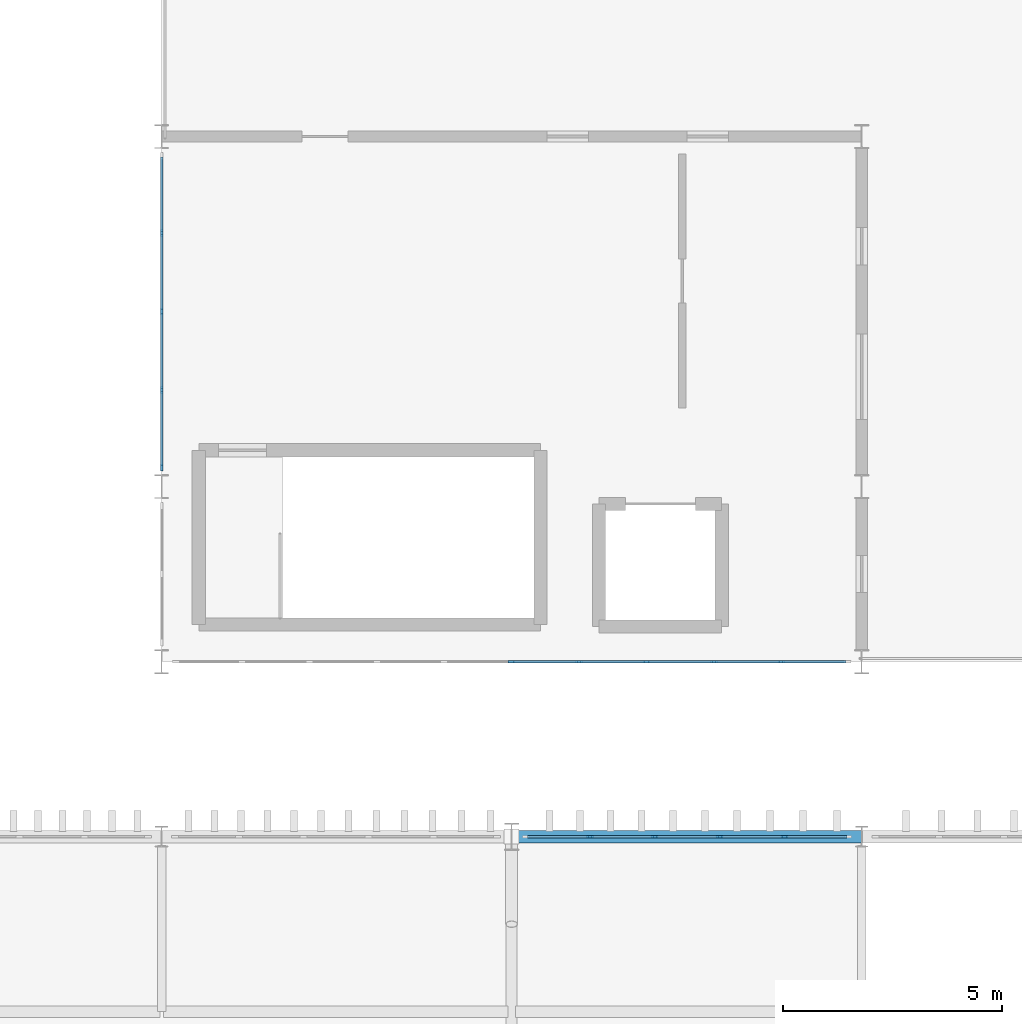
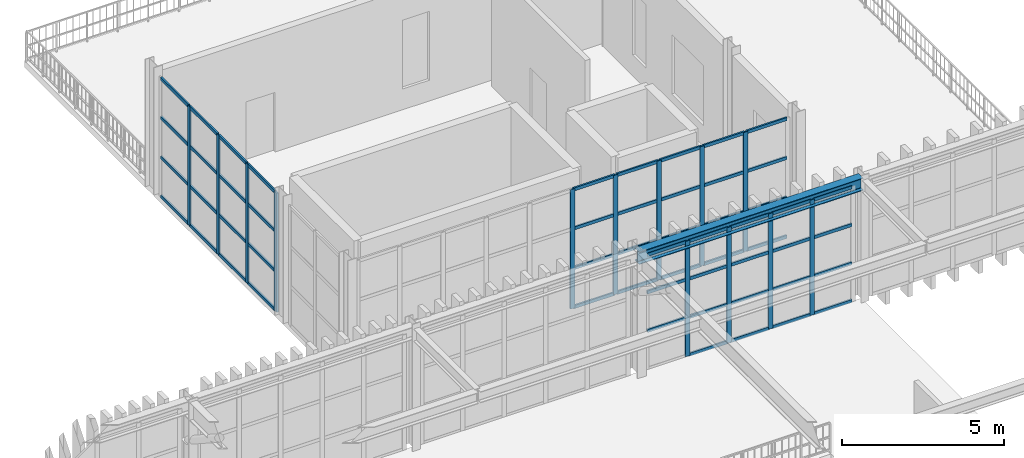
# One storey, part 26 of 61: 68 members, 1 beam, 3 elements without a shape of their own.
"""IFC4 building model written with IfcOpenShell, lengths in metres."""

from ifc_helpers import new_model, si_unit, direction, frame, origin, origin_2d, place, context, subcontext, project, spatial, rectangle, i_section, extrude, material, material_profile, profile_set, type_object, element, aggregate, save


model = new_model("IFC4")

# Units and contexts
model_context = context("Model", 3, precision=1e-05, world=origin(), true_north=direction((0.0, 1.0)))
body_context = subcontext(model_context, "Body", "Model", "MODEL_VIEW")
ifc_project = project(units=[si_unit("LENGTHUNIT", "METRE"), si_unit("AREAUNIT", "SQUARE_METRE"), si_unit("VOLUMEUNIT", "CUBIC_METRE"), si_unit("PLANEANGLEUNIT", "RADIAN"), si_unit("MASSUNIT", "GRAM", prefix="KILO")], contexts=[model_context])

# Site, building, storey
site_placement = place(None, origin())
site = spatial("IfcSite", under=ifc_project, at=site_placement, CompositionType="ELEMENT")
building_placement = place(site_placement, origin())
building = spatial("IfcBuilding", under=site, at=building_placement, Name="Serraluz Foothill Cableway Terminal", CompositionType="ELEMENT")
storey_placement = place(building_placement, frame((0.0, 0.0, 15.0)))
storey = spatial("IfcBuildingStorey", under=building, at=storey_placement, Name="L03", CompositionType="ELEMENT", Elevation=15.0)

# Curtain wall, members
ifc_material_1 = material(Name="Architectural bronze alloy C28000", Category="aluminium")
curtain_wall_type_1 = type_object("IfcCurtainWallType", Name="TYP-CW-360X380", PredefinedType="NOTDEFINED", material=ifc_material_1)
curtain_wall_1_placement = place(storey_placement, origin())
curtain_wall_1 = element("IfcCurtainWall", 1, at=curtain_wall_1_placement, inside=storey, type_object=curtain_wall_type_1, Name="Ribbed Glazed Curtain Wall CW-V1N-L03-88", PredefinedType="NOTDEFINED")
ifc_material_profile_1 = material_profile(ifc_material_1, rectangle(XDim=0.06005859375, YDim=0.159912109375, at=origin_2d()), Name="ALU MULLION 60x160")
ifc_profile_set_1 = profile_set([ifc_material_profile_1], Name="Architectural bronze alloy C28000")
member_type_1 = type_object("IfcMemberType", Name="TYP-CW-MUL-60X160", PredefinedType="MULLION", material=ifc_profile_set_1)
member_1_placement = place(storey_placement, frame((89.78564453125, 72.0, 0.0), z_axis=(0.0, 0.0, 1.0), x_axis=(0.0, 1.0, 0.0)))
member_1 = element("IfcMember", 2, at=member_1_placement, type_object=member_type_1, Name="CW-18 mullion 2", PredefinedType="MULLION", context=body_context, shape_type="SweptSolid", body=[
    extrude(rectangle(XDim=0.06005859375, YDim=0.159912109375, at=origin_2d()), origin(), (0.0, 0.0, 1.0), 4.35009765625),
])
member_2_placement = place(storey_placement, frame((91.268798828125, 72.0, 0.0), z_axis=(0.0, 0.0, 1.0), x_axis=(0.0, 1.0, 0.0)))
member_2 = element("IfcMember", 3, at=member_2_placement, type_object=member_type_1, Name="CW-18 mullion 3", PredefinedType="MULLION", context=body_context, shape_type="SweptSolid", body=[
    extrude(rectangle(XDim=0.06005859375, YDim=0.159912109375, at=origin_2d()), origin(), (0.0, 0.0, 1.0), 4.35009765625),
])
member_3_placement = place(storey_placement, frame((92.752197265625, 72.0, 0.0), z_axis=(0.0, 0.0, 1.0), x_axis=(0.0, 1.0, 0.0)))
member_3 = element("IfcMember", 4, at=member_3_placement, type_object=member_type_1, Name="CW-18 mullion 4", PredefinedType="MULLION", context=body_context, shape_type="SweptSolid", body=[
    extrude(rectangle(XDim=0.06005859375, YDim=0.159912109375, at=origin_2d()), origin(), (0.0, 0.0, 1.0), 4.35009765625),
])
member_4_placement = place(storey_placement, frame((94.2353515625, 72.0, 0.0), z_axis=(0.0, 0.0, 1.0), x_axis=(0.0, 1.0, 0.0)))
member_4 = element("IfcMember", 5, at=member_4_placement, type_object=member_type_1, Name="CW-18 mullion 5", PredefinedType="MULLION", context=body_context, shape_type="SweptSolid", body=[
    extrude(rectangle(XDim=0.06005859375, YDim=0.159912109375, at=origin_2d()), origin(), (0.0, 0.0, 1.0), 4.35009765625),
])

curtain_wall_type_2 = type_object("IfcCurtainWallType", Name="TYP-CW-640X440", PredefinedType="NOTDEFINED", material=ifc_material_1)
curtain_wall_2_placement = place(storey_placement, origin())
curtain_wall_2 = element("IfcCurtainWall", 6, at=curtain_wall_2_placement, inside=storey, type_object=curtain_wall_type_2, Name="Ribbed Glazed Curtain Wall CW-V4S-L03-80", PredefinedType="NOTDEFINED")
member_5_placement = place(storey_placement, frame((94.1630859375, 76.0, 0.0), z_axis=(0.0, 0.0, 1.0), x_axis=(0.0, -1.0, 0.0)))
member_5 = element("IfcMember", 7, at=member_5_placement, type_object=member_type_1, Name="CW-12 mullion 2", PredefinedType="MULLION", context=body_context, shape_type="SweptSolid", body=[
    extrude(rectangle(XDim=0.06005859375, YDim=0.159912109375, at=origin_2d()), origin(), (0.0, 0.0, 1.0), 4.5),
])
member_6_placement = place(storey_placement, frame((92.622314453125, 76.0, 0.0), z_axis=(0.0, 0.0, 1.0), x_axis=(0.0, -1.0, 0.0)))
member_6 = element("IfcMember", 8, at=member_6_placement, type_object=member_type_1, Name="CW-12 mullion 3", PredefinedType="MULLION", context=body_context, shape_type="SweptSolid", body=[
    extrude(rectangle(XDim=0.06005859375, YDim=0.159912109375, at=origin_2d()), origin(), (0.0, 0.0, 1.0), 4.5),
])
member_7_placement = place(storey_placement, frame((91.08154296875, 76.0, 0.0), z_axis=(0.0, 0.0, 1.0), x_axis=(0.0, -1.0, 0.0)))
member_7 = element("IfcMember", 9, at=member_7_placement, type_object=member_type_1, Name="CW-12 mullion 4", PredefinedType="MULLION", context=body_context, shape_type="SweptSolid", body=[
    extrude(rectangle(XDim=0.06005859375, YDim=0.159912109375, at=origin_2d()), origin(), (0.0, 0.0, 1.0), 4.5),
])
member_8_placement = place(storey_placement, frame((89.540771484375, 76.0, 0.0), z_axis=(0.0, 0.0, 1.0), x_axis=(0.0, -1.0, 0.0)))
member_8 = element("IfcMember", 10, at=member_8_placement, type_object=member_type_1, Name="CW-12 mullion 5", PredefinedType="MULLION", context=body_context, shape_type="SweptSolid", body=[
    extrude(rectangle(XDim=0.06005859375, YDim=0.159912109375, at=origin_2d()), origin(), (0.0, 0.0, 1.0), 4.5),
])
member_9_placement = place(storey_placement, frame((88.0, 76.0, 0.0), z_axis=(0.0, 0.0, 1.0), x_axis=(0.0, -1.0, 0.0)))
member_9 = element("IfcMember", 11, at=member_9_placement, type_object=member_type_1, Name="CW-12 mullion 6", PredefinedType="MULLION", context=body_context, shape_type="SweptSolid", body=[
    extrude(rectangle(XDim=0.06005859375, YDim=0.159912109375, at=origin_2d()), origin(), (0.0, 0.0, 1.0), 4.5),
])

curtain_wall_3_placement = place(storey_placement, origin())
curtain_wall_3 = element("IfcCurtainWall", 12, at=curtain_wall_3_placement, inside=storey, type_object=curtain_wall_type_2, Name="Ribbed Glazed Curtain Wall CW-V4W-L03-2", PredefinedType="NOTDEFINED")
member_10_placement = place(storey_placement, frame((80.0, 80.44140625, 0.0), z_axis=(0.0, 0.0, 1.0), x_axis=(-1.0, 0.0, 0.0)))
member_10 = element("IfcMember", 13, at=member_10_placement, type_object=member_type_1, Name="CW-12 mullion 1", PredefinedType="MULLION", context=body_context, shape_type="SweptSolid", body=[
    extrude(rectangle(XDim=0.06005859375, YDim=0.159912109375, at=origin_2d()), origin(), (0.0, 0.0, 1.0), 4.5),
])
member_11_placement = place(storey_placement, frame((80.0, 82.205810546875, 0.0), z_axis=(0.0, 0.0, 1.0), x_axis=(-1.0, 0.0, 0.0)))
member_11 = element("IfcMember", 14, at=member_11_placement, type_object=member_type_1, Name="CW-12 mullion 2", PredefinedType="MULLION", context=body_context, shape_type="SweptSolid", body=[
    extrude(rectangle(XDim=0.06005859375, YDim=0.159912109375, at=origin_2d()), origin(), (0.0, 0.0, 1.0), 4.5),
])
member_12_placement = place(storey_placement, frame((80.0, 84.0, 0.0), z_axis=(0.0, 0.0, 1.0), x_axis=(-1.0, 0.0, 0.0)))
member_12 = element("IfcMember", 15, at=member_12_placement, type_object=member_type_1, Name="CW-12 mullion 3", PredefinedType="MULLION", context=body_context, shape_type="SweptSolid", body=[
    extrude(rectangle(XDim=0.06005859375, YDim=0.159912109375, at=origin_2d()), origin(), (0.0, 0.0, 1.0), 4.5),
])
member_13_placement = place(storey_placement, frame((80.0, 85.794189453125, 0.0), z_axis=(0.0, 0.0, 1.0), x_axis=(-1.0, 0.0, 0.0)))
member_13 = element("IfcMember", 16, at=member_13_placement, type_object=member_type_1, Name="CW-12 mullion 4", PredefinedType="MULLION", context=body_context, shape_type="SweptSolid", body=[
    extrude(rectangle(XDim=0.06005859375, YDim=0.159912109375, at=origin_2d()), origin(), (0.0, 0.0, 1.0), 4.5),
])

# Member
ifc_material_profile_2 = material_profile(ifc_material_1, rectangle(XDim=0.06005859375, YDim=0.1201171875, at=origin_2d()), Name="ALU TRANSOM 60x120")
ifc_profile_set_2 = profile_set([ifc_material_profile_2], Name="Architectural bronze alloy C28000")
member_type_2 = type_object("IfcMemberType", Name="TYP-CW-TRN-60X120", PredefinedType="USERDEFINED", material=ifc_profile_set_2)
member_14_placement = place(storey_placement, frame((88.362548828125, 72.0, 1.449951171875), z_axis=(1.0, 0.0, 0.0), x_axis=(0.0, 1.0, 0.0)))
member_14 = element("IfcMember", 17, at=member_14_placement, type_object=member_type_2, Name="CW-18 transom 1.2", ObjectType="TRANSOM", PredefinedType="USERDEFINED", context=body_context, shape_type="SweptSolid", body=[
    extrude(rectangle(XDim=0.06005859375, YDim=0.1201171875, at=origin_2d()), origin(), (0.0, 0.0, 1.0), 1.39306640625),
])

member_15_placement = place(storey_placement, frame((88.362548828125, 72.0, 2.89990234375), z_axis=(1.0, 0.0, 0.0), x_axis=(0.0, 1.0, 0.0)))
member_15 = element("IfcMember", 18, at=member_15_placement, type_object=member_type_2, Name="CW-18 transom 1.3", ObjectType="TRANSOM", PredefinedType="USERDEFINED", context=body_context, shape_type="SweptSolid", body=[
    extrude(rectangle(XDim=0.06005859375, YDim=0.1201171875, at=origin_2d()), origin(), (0.0, 0.0, 1.0), 1.39306640625),
])

member_16_placement = place(storey_placement, frame((88.362548828125, 72.0, 4.320068359375), z_axis=(1.0, 0.0, 0.0), x_axis=(0.0, 1.0, 0.0)))
member_16 = element("IfcMember", 19, at=member_16_placement, type_object=member_type_2, Name="CW-18 transom 1.4", ObjectType="TRANSOM", PredefinedType="USERDEFINED", context=body_context, shape_type="SweptSolid", body=[
    extrude(rectangle(XDim=0.06005859375, YDim=0.1201171875, at=origin_2d()), origin(), (0.0, 0.0, 1.0), 1.39306640625),
])

member_17_placement = place(storey_placement, frame((89.815673828125, 72.0, 0.030029296875), z_axis=(1.0, 0.0, 0.0), x_axis=(0.0, 1.0, 0.0)))
member_17 = element("IfcMember", 20, at=member_17_placement, type_object=member_type_2, Name="CW-18 transom 2.1", ObjectType="TRANSOM", PredefinedType="USERDEFINED", context=body_context, shape_type="SweptSolid", body=[
    extrude(rectangle(XDim=0.06005859375, YDim=0.1201171875, at=origin_2d()), origin(), (0.0, 0.0, 1.0), 1.42333984375),
])

member_18_placement = place(storey_placement, frame((89.815673828125, 72.0, 1.449951171875), z_axis=(1.0, 0.0, 0.0), x_axis=(0.0, 1.0, 0.0)))
member_18 = element("IfcMember", 21, at=member_18_placement, type_object=member_type_2, Name="CW-18 transom 2.2", ObjectType="TRANSOM", PredefinedType="USERDEFINED", context=body_context, shape_type="SweptSolid", body=[
    extrude(rectangle(XDim=0.06005859375, YDim=0.1201171875, at=origin_2d()), origin(), (0.0, 0.0, 1.0), 1.42333984375),
])

member_19_placement = place(storey_placement, frame((89.815673828125, 72.0, 2.89990234375), z_axis=(1.0, 0.0, 0.0), x_axis=(0.0, 1.0, 0.0)))
member_19 = element("IfcMember", 22, at=member_19_placement, type_object=member_type_2, Name="CW-18 transom 2.3", ObjectType="TRANSOM", PredefinedType="USERDEFINED", context=body_context, shape_type="SweptSolid", body=[
    extrude(rectangle(XDim=0.06005859375, YDim=0.1201171875, at=origin_2d()), origin(), (0.0, 0.0, 1.0), 1.42333984375),
])

member_20_placement = place(storey_placement, frame((89.815673828125, 72.0, 4.320068359375), z_axis=(1.0, 0.0, 0.0), x_axis=(0.0, 1.0, 0.0)))
member_20 = element("IfcMember", 23, at=member_20_placement, type_object=member_type_2, Name="CW-18 transom 2.4", ObjectType="TRANSOM", PredefinedType="USERDEFINED", context=body_context, shape_type="SweptSolid", body=[
    extrude(rectangle(XDim=0.06005859375, YDim=0.1201171875, at=origin_2d()), origin(), (0.0, 0.0, 1.0), 1.42333984375),
])

member_21_placement = place(storey_placement, frame((91.298828125, 72.0, 0.030029296875), z_axis=(1.0, 0.0, 0.0), x_axis=(0.0, 1.0, 0.0)))
member_21 = element("IfcMember", 24, at=member_21_placement, type_object=member_type_2, Name="CW-18 transom 3.1", ObjectType="TRANSOM", PredefinedType="USERDEFINED", context=body_context, shape_type="SweptSolid", body=[
    extrude(rectangle(XDim=0.06005859375, YDim=0.1201171875, at=origin_2d()), origin(), (0.0, 0.0, 1.0), 1.42333984375),
])

member_22_placement = place(storey_placement, frame((91.298828125, 72.0, 1.449951171875), z_axis=(1.0, 0.0, 0.0), x_axis=(0.0, 1.0, 0.0)))
member_22 = element("IfcMember", 25, at=member_22_placement, type_object=member_type_2, Name="CW-18 transom 3.2", ObjectType="TRANSOM", PredefinedType="USERDEFINED", context=body_context, shape_type="SweptSolid", body=[
    extrude(rectangle(XDim=0.06005859375, YDim=0.1201171875, at=origin_2d()), origin(), (0.0, 0.0, 1.0), 1.42333984375),
])

member_23_placement = place(storey_placement, frame((91.298828125, 72.0, 2.89990234375), z_axis=(1.0, 0.0, 0.0), x_axis=(0.0, 1.0, 0.0)))
member_23 = element("IfcMember", 26, at=member_23_placement, type_object=member_type_2, Name="CW-18 transom 3.3", ObjectType="TRANSOM", PredefinedType="USERDEFINED", context=body_context, shape_type="SweptSolid", body=[
    extrude(rectangle(XDim=0.06005859375, YDim=0.1201171875, at=origin_2d()), origin(), (0.0, 0.0, 1.0), 1.42333984375),
])

member_24_placement = place(storey_placement, frame((91.298828125, 72.0, 4.320068359375), z_axis=(1.0, 0.0, 0.0), x_axis=(0.0, 1.0, 0.0)))
member_24 = element("IfcMember", 27, at=member_24_placement, type_object=member_type_2, Name="CW-18 transom 3.4", ObjectType="TRANSOM", PredefinedType="USERDEFINED", context=body_context, shape_type="SweptSolid", body=[
    extrude(rectangle(XDim=0.06005859375, YDim=0.1201171875, at=origin_2d()), origin(), (0.0, 0.0, 1.0), 1.42333984375),
])

member_25_placement = place(storey_placement, frame((92.781982421875, 72.0, 0.030029296875), z_axis=(1.0, 0.0, 0.0), x_axis=(0.0, 1.0, 0.0)))
member_25 = element("IfcMember", 28, at=member_25_placement, type_object=member_type_2, Name="CW-18 transom 4.1", ObjectType="TRANSOM", PredefinedType="USERDEFINED", context=body_context, shape_type="SweptSolid", body=[
    extrude(rectangle(XDim=0.06005859375, YDim=0.1201171875, at=origin_2d()), origin(), (0.0, 0.0, 1.0), 1.42333984375),
])

member_26_placement = place(storey_placement, frame((92.781982421875, 72.0, 1.449951171875), z_axis=(1.0, 0.0, 0.0), x_axis=(0.0, 1.0, 0.0)))
member_26 = element("IfcMember", 29, at=member_26_placement, type_object=member_type_2, Name="CW-18 transom 4.2", ObjectType="TRANSOM", PredefinedType="USERDEFINED", context=body_context, shape_type="SweptSolid", body=[
    extrude(rectangle(XDim=0.06005859375, YDim=0.1201171875, at=origin_2d()), origin(), (0.0, 0.0, 1.0), 1.42333984375),
])

member_27_placement = place(storey_placement, frame((92.781982421875, 72.0, 2.89990234375), z_axis=(1.0, 0.0, 0.0), x_axis=(0.0, 1.0, 0.0)))
member_27 = element("IfcMember", 30, at=member_27_placement, type_object=member_type_2, Name="CW-18 transom 4.3", ObjectType="TRANSOM", PredefinedType="USERDEFINED", context=body_context, shape_type="SweptSolid", body=[
    extrude(rectangle(XDim=0.06005859375, YDim=0.1201171875, at=origin_2d()), origin(), (0.0, 0.0, 1.0), 1.42333984375),
])

member_28_placement = place(storey_placement, frame((92.781982421875, 72.0, 4.320068359375), z_axis=(1.0, 0.0, 0.0), x_axis=(0.0, 1.0, 0.0)))
member_28 = element("IfcMember", 31, at=member_28_placement, type_object=member_type_2, Name="CW-18 transom 4.4", ObjectType="TRANSOM", PredefinedType="USERDEFINED", context=body_context, shape_type="SweptSolid", body=[
    extrude(rectangle(XDim=0.06005859375, YDim=0.1201171875, at=origin_2d()), origin(), (0.0, 0.0, 1.0), 1.42333984375),
])

member_29_placement = place(storey_placement, frame((94.265380859375, 72.0, 0.030029296875), z_axis=(1.0, 0.0, 0.0), x_axis=(0.0, 1.0, 0.0)))
member_29 = element("IfcMember", 32, at=member_29_placement, type_object=member_type_2, Name="CW-18 transom 5.1", ObjectType="TRANSOM", PredefinedType="USERDEFINED", context=body_context, shape_type="SweptSolid", body=[
    extrude(rectangle(XDim=0.06005859375, YDim=0.1201171875, at=origin_2d()), origin(), (0.0, 0.0, 1.0), 1.39306640625),
])

member_30_placement = place(storey_placement, frame((94.265380859375, 72.0, 1.449951171875), z_axis=(1.0, 0.0, 0.0), x_axis=(0.0, 1.0, 0.0)))
member_30 = element("IfcMember", 33, at=member_30_placement, type_object=member_type_2, Name="CW-18 transom 5.2", ObjectType="TRANSOM", PredefinedType="USERDEFINED", context=body_context, shape_type="SweptSolid", body=[
    extrude(rectangle(XDim=0.06005859375, YDim=0.1201171875, at=origin_2d()), origin(), (0.0, 0.0, 1.0), 1.39306640625),
])

member_31_placement = place(storey_placement, frame((94.265380859375, 72.0, 2.89990234375), z_axis=(1.0, 0.0, 0.0), x_axis=(0.0, 1.0, 0.0)))
member_31 = element("IfcMember", 34, at=member_31_placement, type_object=member_type_2, Name="CW-18 transom 5.3", ObjectType="TRANSOM", PredefinedType="USERDEFINED", context=body_context, shape_type="SweptSolid", body=[
    extrude(rectangle(XDim=0.06005859375, YDim=0.1201171875, at=origin_2d()), origin(), (0.0, 0.0, 1.0), 1.39306640625),
])

member_32_placement = place(storey_placement, frame((94.265380859375, 72.0, 4.320068359375), z_axis=(1.0, 0.0, 0.0), x_axis=(0.0, 1.0, 0.0)))
member_32 = element("IfcMember", 35, at=member_32_placement, type_object=member_type_2, Name="CW-18 transom 5.4", ObjectType="TRANSOM", PredefinedType="USERDEFINED", context=body_context, shape_type="SweptSolid", body=[
    extrude(rectangle(XDim=0.06005859375, YDim=0.1201171875, at=origin_2d()), origin(), (0.0, 0.0, 1.0), 1.39306640625),
])

aggregate(curtain_wall_1, [member_1, member_2, member_3, member_4, member_14, member_15, member_16, member_17, member_18, member_19, member_20, member_21, member_22, member_23, member_24, member_25, member_26, member_27, member_28, member_29, member_30, member_31, member_32])

member_33_placement = place(storey_placement, frame((95.64404296875, 76.0, 0.030029296875), z_axis=(-1.0, 0.0, 0.0), x_axis=(0.0, -1.0, 0.0)))
member_33 = element("IfcMember", 36, at=member_33_placement, type_object=member_type_2, Name="CW-12 transom 1.1", ObjectType="TRANSOM", PredefinedType="USERDEFINED", context=body_context, shape_type="SweptSolid", body=[
    extrude(rectangle(XDim=0.06005859375, YDim=0.1201171875, at=origin_2d()), origin(), (0.0, 0.0, 1.0), 1.450927734375),
])

member_34_placement = place(storey_placement, frame((95.64404296875, 76.0, 1.5), z_axis=(-1.0, 0.0, 0.0), x_axis=(0.0, -1.0, 0.0)))
member_34 = element("IfcMember", 37, at=member_34_placement, type_object=member_type_2, Name="CW-12 transom 1.2", ObjectType="TRANSOM", PredefinedType="USERDEFINED", context=body_context, shape_type="SweptSolid", body=[
    extrude(rectangle(XDim=0.06005859375, YDim=0.1201171875, at=origin_2d()), origin(), (0.0, 0.0, 1.0), 1.450927734375),
])

member_35_placement = place(storey_placement, frame((95.64404296875, 76.0, 3.0), z_axis=(-1.0, 0.0, 0.0), x_axis=(0.0, -1.0, 0.0)))
member_35 = element("IfcMember", 38, at=member_35_placement, type_object=member_type_2, Name="CW-12 transom 1.3", ObjectType="TRANSOM", PredefinedType="USERDEFINED", context=body_context, shape_type="SweptSolid", body=[
    extrude(rectangle(XDim=0.06005859375, YDim=0.1201171875, at=origin_2d()), origin(), (0.0, 0.0, 1.0), 1.450927734375),
])

member_36_placement = place(storey_placement, frame((95.64404296875, 76.0, 4.469970703125), z_axis=(-1.0, 0.0, 0.0), x_axis=(0.0, -1.0, 0.0)))
member_36 = element("IfcMember", 39, at=member_36_placement, type_object=member_type_2, Name="CW-12 transom 1.4", ObjectType="TRANSOM", PredefinedType="USERDEFINED", context=body_context, shape_type="SweptSolid", body=[
    extrude(rectangle(XDim=0.06005859375, YDim=0.1201171875, at=origin_2d()), origin(), (0.0, 0.0, 1.0), 1.450927734375),
])

member_37_placement = place(storey_placement, frame((94.13330078125, 76.0, 0.030029296875), z_axis=(-1.0, 0.0, 0.0), x_axis=(0.0, -1.0, 0.0)))
member_37 = element("IfcMember", 40, at=member_37_placement, type_object=member_type_2, Name="CW-12 transom 2.1", ObjectType="TRANSOM", PredefinedType="USERDEFINED", context=body_context, shape_type="SweptSolid", body=[
    extrude(rectangle(XDim=0.06005859375, YDim=0.1201171875, at=origin_2d()), origin(), (0.0, 0.0, 1.0), 1.48095703125),
])

member_38_placement = place(storey_placement, frame((94.13330078125, 76.0, 1.5), z_axis=(-1.0, 0.0, 0.0), x_axis=(0.0, -1.0, 0.0)))
member_38 = element("IfcMember", 41, at=member_38_placement, type_object=member_type_2, Name="CW-12 transom 2.2", ObjectType="TRANSOM", PredefinedType="USERDEFINED", context=body_context, shape_type="SweptSolid", body=[
    extrude(rectangle(XDim=0.06005859375, YDim=0.1201171875, at=origin_2d()), origin(), (0.0, 0.0, 1.0), 1.48095703125),
])

member_39_placement = place(storey_placement, frame((94.13330078125, 76.0, 3.0), z_axis=(-1.0, 0.0, 0.0), x_axis=(0.0, -1.0, 0.0)))
member_39 = element("IfcMember", 42, at=member_39_placement, type_object=member_type_2, Name="CW-12 transom 2.3", ObjectType="TRANSOM", PredefinedType="USERDEFINED", context=body_context, shape_type="SweptSolid", body=[
    extrude(rectangle(XDim=0.06005859375, YDim=0.1201171875, at=origin_2d()), origin(), (0.0, 0.0, 1.0), 1.48095703125),
])

member_40_placement = place(storey_placement, frame((94.13330078125, 76.0, 4.469970703125), z_axis=(-1.0, 0.0, 0.0), x_axis=(0.0, -1.0, 0.0)))
member_40 = element("IfcMember", 43, at=member_40_placement, type_object=member_type_2, Name="CW-12 transom 2.4", ObjectType="TRANSOM", PredefinedType="USERDEFINED", context=body_context, shape_type="SweptSolid", body=[
    extrude(rectangle(XDim=0.06005859375, YDim=0.1201171875, at=origin_2d()), origin(), (0.0, 0.0, 1.0), 1.48095703125),
])

member_41_placement = place(storey_placement, frame((92.59228515625, 76.0, 0.030029296875), z_axis=(-1.0, 0.0, 0.0), x_axis=(0.0, -1.0, 0.0)))
member_41 = element("IfcMember", 44, at=member_41_placement, type_object=member_type_2, Name="CW-12 transom 3.1", ObjectType="TRANSOM", PredefinedType="USERDEFINED", context=body_context, shape_type="SweptSolid", body=[
    extrude(rectangle(XDim=0.06005859375, YDim=0.1201171875, at=origin_2d()), origin(), (0.0, 0.0, 1.0), 1.480712890625),
])

member_42_placement = place(storey_placement, frame((92.59228515625, 76.0, 1.5), z_axis=(-1.0, 0.0, 0.0), x_axis=(0.0, -1.0, 0.0)))
member_42 = element("IfcMember", 45, at=member_42_placement, type_object=member_type_2, Name="CW-12 transom 3.2", ObjectType="TRANSOM", PredefinedType="USERDEFINED", context=body_context, shape_type="SweptSolid", body=[
    extrude(rectangle(XDim=0.06005859375, YDim=0.1201171875, at=origin_2d()), origin(), (0.0, 0.0, 1.0), 1.480712890625),
])

member_43_placement = place(storey_placement, frame((92.59228515625, 76.0, 3.0), z_axis=(-1.0, 0.0, 0.0), x_axis=(0.0, -1.0, 0.0)))
member_43 = element("IfcMember", 46, at=member_43_placement, type_object=member_type_2, Name="CW-12 transom 3.3", ObjectType="TRANSOM", PredefinedType="USERDEFINED", context=body_context, shape_type="SweptSolid", body=[
    extrude(rectangle(XDim=0.06005859375, YDim=0.1201171875, at=origin_2d()), origin(), (0.0, 0.0, 1.0), 1.480712890625),
])

member_44_placement = place(storey_placement, frame((92.59228515625, 76.0, 4.469970703125), z_axis=(-1.0, 0.0, 0.0), x_axis=(0.0, -1.0, 0.0)))
member_44 = element("IfcMember", 47, at=member_44_placement, type_object=member_type_2, Name="CW-12 transom 3.4", ObjectType="TRANSOM", PredefinedType="USERDEFINED", context=body_context, shape_type="SweptSolid", body=[
    extrude(rectangle(XDim=0.06005859375, YDim=0.1201171875, at=origin_2d()), origin(), (0.0, 0.0, 1.0), 1.480712890625),
])

member_45_placement = place(storey_placement, frame((91.051513671875, 76.0, 0.030029296875), z_axis=(-1.0, 0.0, 0.0), x_axis=(0.0, -1.0, 0.0)))
member_45 = element("IfcMember", 48, at=member_45_placement, type_object=member_type_2, Name="CW-12 transom 4.1", ObjectType="TRANSOM", PredefinedType="USERDEFINED", context=body_context, shape_type="SweptSolid", body=[
    extrude(rectangle(XDim=0.06005859375, YDim=0.1201171875, at=origin_2d()), origin(), (0.0, 0.0, 1.0), 1.480712890625),
])

member_46_placement = place(storey_placement, frame((91.051513671875, 76.0, 1.5), z_axis=(-1.0, 0.0, 0.0), x_axis=(0.0, -1.0, 0.0)))
member_46 = element("IfcMember", 49, at=member_46_placement, type_object=member_type_2, Name="CW-12 transom 4.2", ObjectType="TRANSOM", PredefinedType="USERDEFINED", context=body_context, shape_type="SweptSolid", body=[
    extrude(rectangle(XDim=0.06005859375, YDim=0.1201171875, at=origin_2d()), origin(), (0.0, 0.0, 1.0), 1.480712890625),
])

member_47_placement = place(storey_placement, frame((91.051513671875, 76.0, 3.0), z_axis=(-1.0, 0.0, 0.0), x_axis=(0.0, -1.0, 0.0)))
member_47 = element("IfcMember", 50, at=member_47_placement, type_object=member_type_2, Name="CW-12 transom 4.3", ObjectType="TRANSOM", PredefinedType="USERDEFINED", context=body_context, shape_type="SweptSolid", body=[
    extrude(rectangle(XDim=0.06005859375, YDim=0.1201171875, at=origin_2d()), origin(), (0.0, 0.0, 1.0), 1.480712890625),
])

member_48_placement = place(storey_placement, frame((91.051513671875, 76.0, 4.469970703125), z_axis=(-1.0, 0.0, 0.0), x_axis=(0.0, -1.0, 0.0)))
member_48 = element("IfcMember", 51, at=member_48_placement, type_object=member_type_2, Name="CW-12 transom 4.4", ObjectType="TRANSOM", PredefinedType="USERDEFINED", context=body_context, shape_type="SweptSolid", body=[
    extrude(rectangle(XDim=0.06005859375, YDim=0.1201171875, at=origin_2d()), origin(), (0.0, 0.0, 1.0), 1.480712890625),
])

member_49_placement = place(storey_placement, frame((89.5107421875, 76.0, 0.030029296875), z_axis=(-1.0, 0.0, 0.0), x_axis=(0.0, -1.0, 0.0)))
member_49 = element("IfcMember", 52, at=member_49_placement, type_object=member_type_2, Name="CW-12 transom 5.1", ObjectType="TRANSOM", PredefinedType="USERDEFINED", context=body_context, shape_type="SweptSolid", body=[
    extrude(rectangle(XDim=0.06005859375, YDim=0.1201171875, at=origin_2d()), origin(), (0.0, 0.0, 1.0), 1.480712890625),
])

member_50_placement = place(storey_placement, frame((89.5107421875, 76.0, 1.5), z_axis=(-1.0, 0.0, 0.0), x_axis=(0.0, -1.0, 0.0)))
member_50 = element("IfcMember", 53, at=member_50_placement, type_object=member_type_2, Name="CW-12 transom 5.2", ObjectType="TRANSOM", PredefinedType="USERDEFINED", context=body_context, shape_type="SweptSolid", body=[
    extrude(rectangle(XDim=0.06005859375, YDim=0.1201171875, at=origin_2d()), origin(), (0.0, 0.0, 1.0), 1.480712890625),
])

member_51_placement = place(storey_placement, frame((89.5107421875, 76.0, 3.0), z_axis=(-1.0, 0.0, 0.0), x_axis=(0.0, -1.0, 0.0)))
member_51 = element("IfcMember", 54, at=member_51_placement, type_object=member_type_2, Name="CW-12 transom 5.3", ObjectType="TRANSOM", PredefinedType="USERDEFINED", context=body_context, shape_type="SweptSolid", body=[
    extrude(rectangle(XDim=0.06005859375, YDim=0.1201171875, at=origin_2d()), origin(), (0.0, 0.0, 1.0), 1.480712890625),
])

member_52_placement = place(storey_placement, frame((89.5107421875, 76.0, 4.469970703125), z_axis=(-1.0, 0.0, 0.0), x_axis=(0.0, -1.0, 0.0)))
member_52 = element("IfcMember", 55, at=member_52_placement, type_object=member_type_2, Name="CW-12 transom 5.4", ObjectType="TRANSOM", PredefinedType="USERDEFINED", context=body_context, shape_type="SweptSolid", body=[
    extrude(rectangle(XDim=0.06005859375, YDim=0.1201171875, at=origin_2d()), origin(), (0.0, 0.0, 1.0), 1.480712890625),
])

aggregate(curtain_wall_2, [member_5, member_6, member_7, member_8, member_9, member_33, member_34, member_35, member_36, member_37, member_38, member_39, member_40, member_41, member_42, member_43, member_44, member_45, member_46, member_47, member_48, member_49, member_50, member_51, member_52])

member_53_placement = place(storey_placement, frame((80.0, 80.471435546875, 0.030029296875), z_axis=(0.0, 1.0, 0.0), x_axis=(-1.0, 0.0, 0.0)))
member_53 = element("IfcMember", 56, at=member_53_placement, type_object=member_type_2, Name="CW-12 transom 1.1", ObjectType="TRANSOM", PredefinedType="USERDEFINED", context=body_context, shape_type="SweptSolid", body=[
    extrude(rectangle(XDim=0.06005859375, YDim=0.1201171875, at=origin_2d()), origin(), (0.0, 0.0, 1.0), 1.704345703125),
])

member_54_placement = place(storey_placement, frame((80.0, 80.471435546875, 1.5), z_axis=(0.0, 1.0, 0.0), x_axis=(-1.0, 0.0, 0.0)))
member_54 = element("IfcMember", 57, at=member_54_placement, type_object=member_type_2, Name="CW-12 transom 1.2", ObjectType="TRANSOM", PredefinedType="USERDEFINED", context=body_context, shape_type="SweptSolid", body=[
    extrude(rectangle(XDim=0.06005859375, YDim=0.1201171875, at=origin_2d()), origin(), (0.0, 0.0, 1.0), 1.704345703125),
])

member_55_placement = place(storey_placement, frame((80.0, 80.471435546875, 3.0), z_axis=(0.0, 1.0, 0.0), x_axis=(-1.0, 0.0, 0.0)))
member_55 = element("IfcMember", 58, at=member_55_placement, type_object=member_type_2, Name="CW-12 transom 1.3", ObjectType="TRANSOM", PredefinedType="USERDEFINED", context=body_context, shape_type="SweptSolid", body=[
    extrude(rectangle(XDim=0.06005859375, YDim=0.1201171875, at=origin_2d()), origin(), (0.0, 0.0, 1.0), 1.704345703125),
])

member_56_placement = place(storey_placement, frame((80.0, 80.471435546875, 4.469970703125), z_axis=(0.0, 1.0, 0.0), x_axis=(-1.0, 0.0, 0.0)))
member_56 = element("IfcMember", 59, at=member_56_placement, type_object=member_type_2, Name="CW-12 transom 1.4", ObjectType="TRANSOM", PredefinedType="USERDEFINED", context=body_context, shape_type="SweptSolid", body=[
    extrude(rectangle(XDim=0.06005859375, YDim=0.1201171875, at=origin_2d()), origin(), (0.0, 0.0, 1.0), 1.704345703125),
])

member_57_placement = place(storey_placement, frame((80.0, 82.23583984375, 0.030029296875), z_axis=(0.0, 1.0, 0.0), x_axis=(-1.0, 0.0, 0.0)))
member_57 = element("IfcMember", 60, at=member_57_placement, type_object=member_type_2, Name="CW-12 transom 2.1", ObjectType="TRANSOM", PredefinedType="USERDEFINED", context=body_context, shape_type="SweptSolid", body=[
    extrude(rectangle(XDim=0.06005859375, YDim=0.1201171875, at=origin_2d()), origin(), (0.0, 0.0, 1.0), 1.734130859375),
])

member_58_placement = place(storey_placement, frame((80.0, 82.23583984375, 1.5), z_axis=(0.0, 1.0, 0.0), x_axis=(-1.0, 0.0, 0.0)))
member_58 = element("IfcMember", 61, at=member_58_placement, type_object=member_type_2, Name="CW-12 transom 2.2", ObjectType="TRANSOM", PredefinedType="USERDEFINED", context=body_context, shape_type="SweptSolid", body=[
    extrude(rectangle(XDim=0.06005859375, YDim=0.1201171875, at=origin_2d()), origin(), (0.0, 0.0, 1.0), 1.734130859375),
])

member_59_placement = place(storey_placement, frame((80.0, 82.23583984375, 3.0), z_axis=(0.0, 1.0, 0.0), x_axis=(-1.0, 0.0, 0.0)))
member_59 = element("IfcMember", 62, at=member_59_placement, type_object=member_type_2, Name="CW-12 transom 2.3", ObjectType="TRANSOM", PredefinedType="USERDEFINED", context=body_context, shape_type="SweptSolid", body=[
    extrude(rectangle(XDim=0.06005859375, YDim=0.1201171875, at=origin_2d()), origin(), (0.0, 0.0, 1.0), 1.734130859375),
])

member_60_placement = place(storey_placement, frame((80.0, 82.23583984375, 4.469970703125), z_axis=(0.0, 1.0, 0.0), x_axis=(-1.0, 0.0, 0.0)))
member_60 = element("IfcMember", 63, at=member_60_placement, type_object=member_type_2, Name="CW-12 transom 2.4", ObjectType="TRANSOM", PredefinedType="USERDEFINED", context=body_context, shape_type="SweptSolid", body=[
    extrude(rectangle(XDim=0.06005859375, YDim=0.1201171875, at=origin_2d()), origin(), (0.0, 0.0, 1.0), 1.734130859375),
])

member_61_placement = place(storey_placement, frame((80.0, 84.030029296875, 0.030029296875), z_axis=(0.0, 1.0, 0.0), x_axis=(-1.0, 0.0, 0.0)))
member_61 = element("IfcMember", 64, at=member_61_placement, type_object=member_type_2, Name="CW-12 transom 3.1", ObjectType="TRANSOM", PredefinedType="USERDEFINED", context=body_context, shape_type="SweptSolid", body=[
    extrude(rectangle(XDim=0.06005859375, YDim=0.1201171875, at=origin_2d()), origin(), (0.0, 0.0, 1.0), 1.734130859375),
])

member_62_placement = place(storey_placement, frame((80.0, 84.030029296875, 1.5), z_axis=(0.0, 1.0, 0.0), x_axis=(-1.0, 0.0, 0.0)))
member_62 = element("IfcMember", 65, at=member_62_placement, type_object=member_type_2, Name="CW-12 transom 3.2", ObjectType="TRANSOM", PredefinedType="USERDEFINED", context=body_context, shape_type="SweptSolid", body=[
    extrude(rectangle(XDim=0.06005859375, YDim=0.1201171875, at=origin_2d()), origin(), (0.0, 0.0, 1.0), 1.734130859375),
])

member_63_placement = place(storey_placement, frame((80.0, 84.030029296875, 3.0), z_axis=(0.0, 1.0, 0.0), x_axis=(-1.0, 0.0, 0.0)))
member_63 = element("IfcMember", 66, at=member_63_placement, type_object=member_type_2, Name="CW-12 transom 3.3", ObjectType="TRANSOM", PredefinedType="USERDEFINED", context=body_context, shape_type="SweptSolid", body=[
    extrude(rectangle(XDim=0.06005859375, YDim=0.1201171875, at=origin_2d()), origin(), (0.0, 0.0, 1.0), 1.734130859375),
])

member_64_placement = place(storey_placement, frame((80.0, 84.030029296875, 4.469970703125), z_axis=(0.0, 1.0, 0.0), x_axis=(-1.0, 0.0, 0.0)))
member_64 = element("IfcMember", 67, at=member_64_placement, type_object=member_type_2, Name="CW-12 transom 3.4", ObjectType="TRANSOM", PredefinedType="USERDEFINED", context=body_context, shape_type="SweptSolid", body=[
    extrude(rectangle(XDim=0.06005859375, YDim=0.1201171875, at=origin_2d()), origin(), (0.0, 0.0, 1.0), 1.734130859375),
])

member_65_placement = place(storey_placement, frame((80.0, 85.82421875, 0.030029296875), z_axis=(0.0, 1.0, 0.0), x_axis=(-1.0, 0.0, 0.0)))
member_65 = element("IfcMember", 68, at=member_65_placement, type_object=member_type_2, Name="CW-12 transom 4.1", ObjectType="TRANSOM", PredefinedType="USERDEFINED", context=body_context, shape_type="SweptSolid", body=[
    extrude(rectangle(XDim=0.06005859375, YDim=0.1201171875, at=origin_2d()), origin(), (0.0, 0.0, 1.0), 1.704345703125),
])

member_66_placement = place(storey_placement, frame((80.0, 85.82421875, 1.5), z_axis=(0.0, 1.0, 0.0), x_axis=(-1.0, 0.0, 0.0)))
member_66 = element("IfcMember", 69, at=member_66_placement, type_object=member_type_2, Name="CW-12 transom 4.2", ObjectType="TRANSOM", PredefinedType="USERDEFINED", context=body_context, shape_type="SweptSolid", body=[
    extrude(rectangle(XDim=0.06005859375, YDim=0.1201171875, at=origin_2d()), origin(), (0.0, 0.0, 1.0), 1.704345703125),
])

member_67_placement = place(storey_placement, frame((80.0, 85.82421875, 3.0), z_axis=(0.0, 1.0, 0.0), x_axis=(-1.0, 0.0, 0.0)))
member_67 = element("IfcMember", 70, at=member_67_placement, type_object=member_type_2, Name="CW-12 transom 4.3", ObjectType="TRANSOM", PredefinedType="USERDEFINED", context=body_context, shape_type="SweptSolid", body=[
    extrude(rectangle(XDim=0.06005859375, YDim=0.1201171875, at=origin_2d()), origin(), (0.0, 0.0, 1.0), 1.704345703125),
])

member_68_placement = place(storey_placement, frame((80.0, 85.82421875, 4.469970703125), z_axis=(0.0, 1.0, 0.0), x_axis=(-1.0, 0.0, 0.0)))
member_68 = element("IfcMember", 71, at=member_68_placement, type_object=member_type_2, Name="CW-12 transom 4.4", ObjectType="TRANSOM", PredefinedType="USERDEFINED", context=body_context, shape_type="SweptSolid", body=[
    extrude(rectangle(XDim=0.06005859375, YDim=0.1201171875, at=origin_2d()), origin(), (0.0, 0.0, 1.0), 1.704345703125),
])

aggregate(curtain_wall_3, [member_10, member_11, member_12, member_13, member_53, member_54, member_55, member_56, member_57, member_58, member_59, member_60, member_61, member_62, member_63, member_64, member_65, member_66, member_67, member_68])

# Beam
ifc_material_2 = material(Name="Steel ASTM A992 Grade 50", Category="steel")
ifc_material_profile_3 = material_profile(ifc_material_2, i_section(OverallWidth=0.282958984375, OverallDepth=0.471923828125, WebThickness=0.013671875, FlangeThickness=0.022216796875, FilletRadius=0.014892578125, at=origin_2d()), Name="W18X97")
ifc_profile_set_3 = profile_set([ifc_material_profile_3], Name="Steel ASTM A992 Grade 50")
beam_type = type_object("IfcBeamType", Name="TYP-SP-W18X97", PredefinedType="SPANDREL", material=ifc_profile_set_3)
beam_placement = place(storey_placement, frame((88.0048828125, 72.0, 4.384033203125), z_axis=(1.0, 0.0, 0.0), x_axis=(0.0, 1.0, 0.0)))
element("IfcBeam", 72, at=beam_placement, inside=storey, type_object=beam_type, Name="Primary Girder BM-X-L03-0369", PredefinedType="SPANDREL", context=body_context, shape_type="SweptSolid", body=[
    extrude(i_section(OverallWidth=0.282958984375, OverallDepth=0.471923828125, WebThickness=0.013671875, FlangeThickness=0.022216796875, FilletRadius=0.014892578125, at=origin_2d()), origin(), (0.0, 0.0, 1.0), 7.990234375),
])

save(model, "model.ifc")
